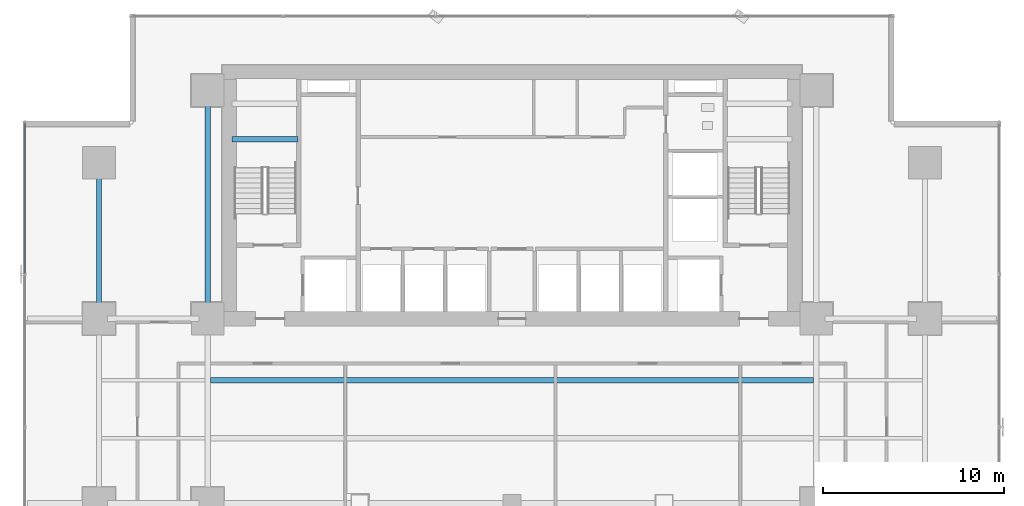
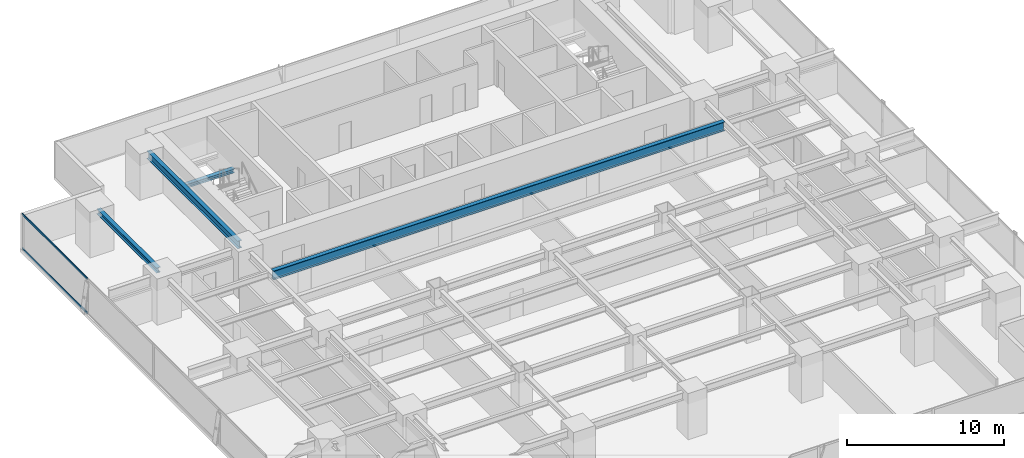
# One storey, part 16 of 32: 4 beams, 2 members, 1 element without a shape of its own.
"""IFC4 building model written with IfcOpenShell, lengths in metres."""

from ifc_helpers import new_model, si_unit, direction, frame, origin, origin_2d, place, context, subcontext, project, spatial, hollow_rectangle, i_section, extrude, source, transform, mapped, material, layer, layer_set, material_profile, profile_set, type_object, element, aggregate, save


model = new_model("IFC4")

# Units and contexts
model_context = context("Model", 3, precision=1e-05, world=origin(), true_north=direction((0.0, 1.0)))
body_context = subcontext(model_context, "Body", "Model", "MODEL_VIEW")
ifc_project = project(units=[si_unit("LENGTHUNIT", "METRE"), si_unit("AREAUNIT", "SQUARE_METRE"), si_unit("VOLUMEUNIT", "CUBIC_METRE"), si_unit("PLANEANGLEUNIT", "RADIAN"), si_unit("MASSUNIT", "GRAM", prefix="KILO")], contexts=[model_context])

# Site, building, storey
site_placement = place(None, origin())
site = spatial("IfcSite", under=ifc_project, at=site_placement, CompositionType="ELEMENT")
building_placement = place(site_placement, origin())
building = spatial("IfcBuilding", under=site, at=building_placement, Name="Sumidabori Civic Tower", CompositionType="ELEMENT")
storey_placement = place(building_placement, frame((0.0, 0.0, 45.199951171875)))
storey = spatial("IfcBuildingStorey", under=building, at=storey_placement, Name="L11", CompositionType="ELEMENT", Elevation=45.199951171875)

# Beams
ifc_material_1 = material(Name="Steel SN490", Category="steel")
ifc_material_profile_1 = material_profile(ifc_material_1, i_section(OverallWidth=0.300048828125, OverallDepth=0.300048828125, WebThickness=0.010986328125, FlangeThickness=0.01904296875, at=origin_2d()), Name="HE 300 B")
ifc_profile_set_1 = profile_set([ifc_material_profile_1], Name="Steel SN490")
beam_type_1 = type_object("IfcBeamType", Name="BM-LDG-300", PredefinedType="BEAM", material=ifc_profile_set_1)
shared_shape_1 = source(origin(), body_context, "Body", "SweptSolid", [
    extrude(i_section(OverallWidth=0.300048828125, OverallDepth=0.300048828125, WebThickness=0.010986328125, FlangeThickness=0.01904296875, at=origin_2d()), origin(), (0.0, 0.0, 1.0), 3.64990234375),
])
beam_1_placement = place(storey_placement, frame((-15.449951171875, 20.09765625, 1.449951171875), z_axis=(1.0, 0.0, 0.0), x_axis=(0.0, 1.0, 0.0)))
element("IfcBeam", 1, at=beam_1_placement, inside=storey, type_object=beam_type_1, Name="Stair ST-1 Landing Support Beam L11-1A", PredefinedType="BEAM", context=body_context, shape_type="MappedRepresentation", body=[
    mapped(shared_shape_1, transform((0.0, 0.0, 0.0), x_axis=(1.0, 0.0, 0.0), y_axis=(0.0, 1.0, 0.0), z_axis=(0.0, 0.0, 1.0), scale=1.0)),
])
ifc_material_profile_2 = material_profile(ifc_material_1, i_section(OverallWidth=0.300048828125, OverallDepth=0.39990234375, WebThickness=0.013427734375, FlangeThickness=0.02392578125, at=origin_2d()), Name="HE 400 B")
ifc_profile_set_2 = profile_set([ifc_material_profile_2], Name="Steel SN490")
beam_type_2 = type_object("IfcBeamType", Name="BM-GIRD-400", PredefinedType="BEAM", material=ifc_profile_set_2)
shared_shape_2 = source(origin(), body_context, "Body", "SweptSolid", [
    extrude(i_section(OverallWidth=0.300048828125, OverallDepth=0.39990234375, WebThickness=0.013427734375, FlangeThickness=0.02392578125, at=origin_2d()), origin(), (0.0, 0.0, 1.0), 7.64013671875),
])
beam_2_placement = place(storey_placement, frame((-22.800048828125, 10.679931640625, 3.16015625), z_axis=(0.0, 1.0, 0.0), x_axis=(-1.0, 0.0, 0.0)))
element("IfcBeam", 2, at=beam_2_placement, inside=storey, type_object=beam_type_2, Name="Primary Girder L11 GY-24", PredefinedType="BEAM", context=body_context, shape_type="MappedRepresentation", body=[
    mapped(shared_shape_2, transform((0.0, 0.0, 0.0), x_axis=(1.0, 0.0, 0.0), y_axis=(0.0, 1.0, 0.0), z_axis=(0.0, 0.0, 1.0), scale=1.0)),
])
ifc_material_profile_3 = material_profile(ifc_material_1, i_section(OverallWidth=0.300048828125, OverallDepth=0.60009765625, WebThickness=0.015380859375, FlangeThickness=0.030029296875, at=origin_2d()), Name="HE 600 B")
ifc_profile_set_3 = profile_set([ifc_material_profile_3], Name="Steel SN490")
beam_type_3 = type_object("IfcBeamType", Name="BM-GIRD-600", PredefinedType="BEAM", material=ifc_profile_set_3)
shared_shape_3 = source(origin(), body_context, "Body", "SweptSolid", [
    extrude(i_section(OverallWidth=0.300048828125, OverallDepth=0.60009765625, WebThickness=0.015380859375, FlangeThickness=0.030029296875, at=origin_2d()), origin(), (0.0, 0.0, 1.0), 11.64013671875),
])
beam_3_placement = place(storey_placement, frame((-16.800048828125, 10.679931640625, 3.06005859375), z_axis=(0.0, 1.0, 0.0), x_axis=(-1.0, 0.0, 0.0)))
element("IfcBeam", 3, at=beam_3_placement, inside=storey, type_object=beam_type_3, Name="Primary Girder L11 GY-28", PredefinedType="BEAM", context=body_context, shape_type="MappedRepresentation", body=[
    mapped(shared_shape_3, transform((0.0, 0.0, 0.0), x_axis=(1.0, 0.0, 0.0), y_axis=(0.0, 1.0, 0.0), z_axis=(0.0, 0.0, 1.0), scale=1.0)),
])
ifc_material_profile_4 = material_profile(ifc_material_1, i_section(OverallWidth=0.300048828125, OverallDepth=0.699951171875, WebThickness=0.01708984375, FlangeThickness=0.031982421875, at=origin_2d()), Name="HE 700 B")
ifc_profile_set_4 = profile_set([ifc_material_profile_4], Name="Steel SN490")
beam_type_4 = type_object("IfcBeamType", Name="BM-GIRD-700", PredefinedType="BEAM", material=ifc_profile_set_4)
shared_shape_4 = source(origin(), body_context, "Body", "SweptSolid", [
    extrude(i_section(OverallWidth=0.300048828125, OverallDepth=0.699951171875, WebThickness=0.01708984375, FlangeThickness=0.031982421875, at=origin_2d()), origin(), (0.0, 0.0, 1.0), 33.2998046875),
])
beam_4_placement = place(storey_placement, frame((-16.64990234375, 6.800048828125, 3.010009765625), z_axis=(1.0, 0.0, 0.0), x_axis=(0.0, 1.0, 0.0)))
element("IfcBeam", 4, at=beam_4_placement, inside=storey, type_object=beam_type_4, Name="North Bay Floor Beam L11 JSTN-60", PredefinedType="BEAM", context=body_context, shape_type="MappedRepresentation", body=[
    mapped(shared_shape_4, transform((0.0, 0.0, 0.0), x_axis=(1.0, 0.0, 0.0), y_axis=(0.0, 1.0, 0.0), z_axis=(0.0, 0.0, 1.0), scale=1.0)),
])

# Curtain wall, members
ifc_material_2 = material(Name="Anodised Bronze Aluminium AW-6063-T6", Category="aluminium")
ifc_layer = layer(ifc_material_2, 0.179931640625, Name="Anodised Bronze Aluminium AW-6063-T6")
ifc_layer_set = layer_set([ifc_layer], Name="Anodised Bronze Aluminium AW-6063-T6")
curtain_wall_type = type_object("IfcCurtainWallType", Name="CW-SYS-2", PredefinedType="NOTDEFINED", material=ifc_layer_set)
curtain_wall_placement = place(storey_placement, origin())
curtain_wall = element("IfcCurtainWall", 5, at=curtain_wall_placement, inside=storey, type_object=curtain_wall_type, Name="Curtain Wall CW:L11:R10", PredefinedType="NOTDEFINED")
ifc_material_profile_5 = material_profile(ifc_material_2, hollow_rectangle(XDim=0.06494140625, YDim=0.14990234375, WallThickness=0.0048828125, at=origin_2d()), Name="ALU TRANSOM 150x65")
ifc_profile_set_5 = profile_set([ifc_material_profile_5], Name="Anodised Bronze Aluminium AW-6063-T6")
member_type = type_object("IfcMemberType", Name="CW-TRN-150", PredefinedType="USERDEFINED", material=ifc_profile_set_5)
shared_shape_5 = source(origin(), body_context, "Body", "SweptSolid", [
    extrude(hollow_rectangle(XDim=0.06494140625, YDim=0.14990234375, WallThickness=0.0048828125, at=origin_2d()), origin(), (0.0, 0.0, 1.0), 8.322998046875),
])
member_1_placement = place(storey_placement, frame((-26.8798828125, 21.0, 0.032470703125), z_axis=(0.0, -1.0, 0.0), x_axis=(1.0, 0.0, 0.0)))
member_1 = element("IfcMember", 6, at=member_1_placement, type_object=member_type, Name="CW-2 transom 1.1", ObjectType="TRANSOM", PredefinedType="USERDEFINED", context=body_context, shape_type="MappedRepresentation", body=[
    mapped(shared_shape_5, transform((0.0, 0.0, 0.0), x_axis=(1.0, 0.0, 0.0), y_axis=(0.0, 1.0, 0.0), z_axis=(0.0, 0.0, 1.0), scale=1.0)),
])
member_2_placement = place(storey_placement, frame((-26.8798828125, 21.0, 2.70751953125), z_axis=(0.0, -1.0, 0.0), x_axis=(1.0, 0.0, 0.0)))
member_2 = element("IfcMember", 7, at=member_2_placement, type_object=member_type, Name="CW-2 transom 1.2", ObjectType="TRANSOM", PredefinedType="USERDEFINED", context=body_context, shape_type="MappedRepresentation", body=[
    mapped(shared_shape_5, transform((0.0, 0.0, 0.0), x_axis=(1.0, 0.0, 0.0), y_axis=(0.0, 1.0, 0.0), z_axis=(0.0, 0.0, 1.0), scale=1.0)),
])
aggregate(curtain_wall, [member_1, member_2])

save(model, "model.ifc")
